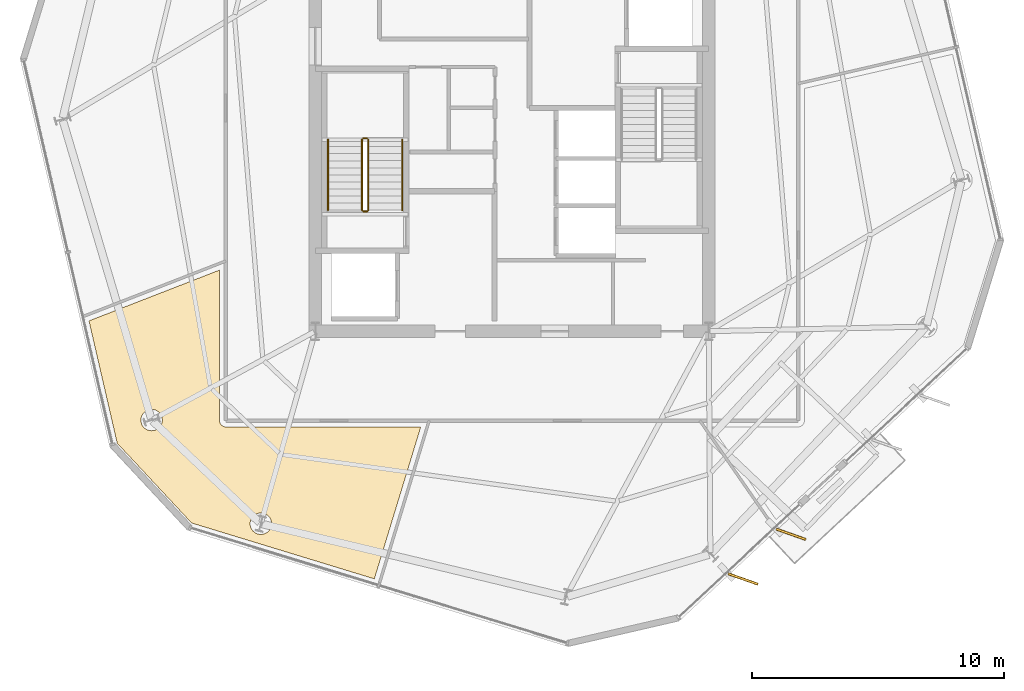
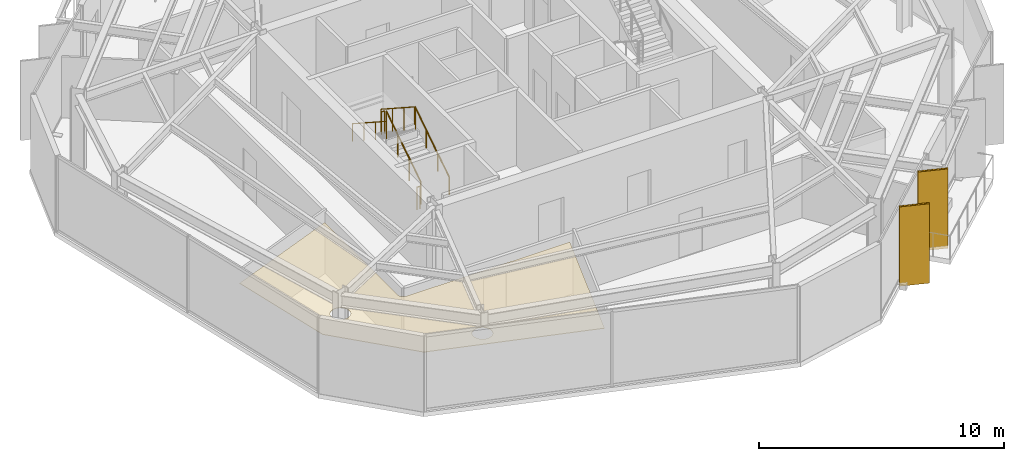
# One storey, part 9 of 11: 6 railings, 3 coverings, 2 shading devices.
"""IFC4 building model written with IfcOpenShell, lengths in metres."""

import ifcopenshell
import ifcopenshell.guid

model = None  # the IFC model being written
_history = None  # IfcOwnerHistory: only IFC2X3 demands one
_inside = {}  # id of a spatial element -> (the spatial element, [elements in it])
_under = {}  # id of a project, library or spatial element -> (it, [spatial elements below it])
_declared = {}  # id of a project -> (the project, [libraries it declares])
_typed = {}  # id of a type object -> (the type object, [elements of that type])
_made_of = {}  # id of a material, layer set ... -> (it, [elements and type objects made of it])


def new_model(schema):
    """Start an empty IFC model of exactly this schema.

    Asked for "IFC4X3", IfcOpenShell would pick the latest addendum, in which some entities
    have other attributes; the version numbers below select the first issue.
    IFC2X3 requires an IfcOwnerHistory on every rooted entity: one is made here for all.
    """
    global model, _history
    if schema == "IFC4X3":
        model = ifcopenshell.file(schema_version=(4, 3, 0, 0))
    else:
        model = ifcopenshell.file(schema=schema)
    _inside.clear()
    _under.clear()
    _declared.clear()
    _typed.clear()
    _made_of.clear()
    _history = None
    if model.schema == "IFC2X3":
        org = make("IfcOrganization", Name="unknown")
        user = make(
            "IfcPersonAndOrganization",
            ThePerson=make("IfcPerson", FamilyName="unknown"),
            TheOrganization=org,
        )
        app = make(
            "IfcApplication",
            ApplicationDeveloper=org,
            Version="unknown",
            ApplicationFullName="unknown",
            ApplicationIdentifier="unknown",
        )
        _history = make(
            "IfcOwnerHistory",
            OwningUser=user,
            OwningApplication=app,
            ChangeAction="ADDED",
            CreationDate=0,
        )
    return model


def make(cls, **values):
    """One entity of the class cls with the attributes given. An attribute that is None is left unset."""
    return model.create_entity(
        cls, **{name: value for name, value in values.items() if value is not None}
    )


def rooted(cls, **values):
    """An entity with a GlobalId (a new one), such as an element, a storey or a relation."""
    return make(cls, GlobalId=ifcopenshell.guid.new(), OwnerHistory=_history, **values)


def si_unit(unit_type, name, prefix=None):
    """IfcSIUnit, for example si_unit("LENGTHUNIT", "METRE", prefix="MILLI")."""
    return make("IfcSIUnit", UnitType=unit_type, Prefix=prefix, Name=name)


def assignment(units):
    """IfcUnitAssignment: the units of a project."""
    return None if units is None else make("IfcUnitAssignment", Units=units)


def point(xyz):
    """IfcCartesianPoint."""
    return None if xyz is None else make("IfcCartesianPoint", Coordinates=xyz)


def direction(xyz):
    """IfcDirection."""
    return None if xyz is None else make("IfcDirection", DirectionRatios=xyz)


def frame(location, z_axis=None, x_axis=None):
    """IfcAxis2Placement3D, a coordinate frame: its origin and axes. An axis left out is left unset."""
    return make(
        "IfcAxis2Placement3D",
        Location=point(location),
        Axis=direction(z_axis),
        RefDirection=direction(x_axis),
    )


def frame_2d(location, x_axis=None):
    """IfcAxis2Placement2D, a coordinate frame in the plane: its origin and x axis."""
    return make(
        "IfcAxis2Placement2D", Location=point(location), RefDirection=direction(x_axis)
    )


def origin():
    """The frame at (0, 0, 0) with its axes left unset."""
    return frame((0.0, 0.0, 0.0))


def origin_2d():
    """The frame at (0, 0) in the plane with its x axis left unset."""
    return frame_2d((0.0, 0.0))


def place(relative_to, where):
    """IfcLocalPlacement: puts the frame where relative to a parent placement (None: the world)."""
    return make(
        "IfcLocalPlacement", PlacementRelTo=relative_to, RelativePlacement=where
    )


def context(
    kind, dimensions, precision=None, world=None, true_north=None, identifier=None
):
    """IfcGeometricRepresentationContext, for example the 3D "Model" context."""
    return make(
        "IfcGeometricRepresentationContext",
        ContextIdentifier=identifier,
        ContextType=kind,
        CoordinateSpaceDimension=dimensions,
        Precision=precision,
        WorldCoordinateSystem=world,
        TrueNorth=true_north,
    )


def subcontext(parent, identifier, kind, view, scale=None):
    """IfcGeometricRepresentationSubContext, for example "Body" below "Model"."""
    return make(
        "IfcGeometricRepresentationSubContext",
        ContextIdentifier=identifier,
        ContextType=kind,
        ParentContext=parent,
        TargetScale=scale,
        TargetView=view,
    )


def project(units=None, contexts=None):
    """IfcProject with its units and contexts."""
    return rooted(
        "IfcProject",
        Name="project",
        RepresentationContexts=contexts,
        UnitsInContext=assignment(units),
    )


def spatial(cls, under=None, at=None, **own):
    """A site, building, storey or space (cls), placed at a placement, below another one or the project."""
    s = rooted(cls, ObjectPlacement=at, **own)
    if under is not None:
        _under.setdefault(under.id(), (under, []))[1].append(s)
    return s


def polyline(points):
    """IfcPolyline through the points."""
    return make("IfcPolyline", Points=[point(p) for p in points])


def profile(cls, at=None, kind="AREA", **sizes):
    """A parametric profile (cls). Its sizes go by their IFC names, for example OverallWidth=200.0."""
    return make(cls, ProfileType=kind, Position=at, **sizes)


def rectangle(**sizes):
    """IfcRectangleProfileDef."""
    return profile("IfcRectangleProfileDef", **sizes)


def circle(**sizes):
    """IfcCircleProfileDef."""
    return profile("IfcCircleProfileDef", **sizes)


def outline(outer, holes=None, kind="AREA"):
    """IfcArbitraryClosedProfileDef: a profile drawn as a closed curve; with holes, ...WithVoids."""
    if holes is None:
        return make("IfcArbitraryClosedProfileDef", ProfileType=kind, OuterCurve=outer)
    return make(
        "IfcArbitraryProfileDefWithVoids",
        ProfileType=kind,
        OuterCurve=outer,
        InnerCurves=holes,
    )


def extrude(swept, where, along, depth):
    """IfcExtrudedAreaSolid: the profile swept, set in the frame where, extruded along a direction by depth."""
    return make(
        "IfcExtrudedAreaSolid",
        SweptArea=swept,
        Position=where,
        ExtrudedDirection=direction(along),
        Depth=depth,
    )


def shape(context_of_items, identifier, shape_type, items):
    """IfcShapeRepresentation: the items that make up one representation, for example the "Body"."""
    return make(
        "IfcShapeRepresentation",
        ContextOfItems=context_of_items,
        RepresentationIdentifier=identifier,
        RepresentationType=shape_type,
        Items=items,
    )


def material(Name=None, Category=None):
    """IfcMaterial."""
    return make("IfcMaterial", Name=Name, Category=Category)


def layer(
    of_material, thickness, ventilated=None, Name=None, Category=None, Priority=None
):
    """IfcMaterialLayer: one layer of a wall or slab, of a material (None: an air gap)."""
    return make(
        "IfcMaterialLayer",
        Material=of_material,
        LayerThickness=thickness,
        IsVentilated=ventilated,
        Name=Name,
        Category=Category,
        Priority=Priority,
    )


def layer_set(layers, Name=None):
    """IfcMaterialLayerSet."""
    return make("IfcMaterialLayerSet", MaterialLayers=layers, LayerSetName=Name)


def made_of(thing, what):
    """Note that an element or type object is made of a material, layer set ...; save() writes the relation."""
    if what is not None:
        _made_of.setdefault(what.id(), (what, []))[1].append(thing)
    return thing


def type_object(cls, material=None, **own):
    """A type object (cls), such as IfcWallType, which elements share."""
    return made_of(rooted(cls, **own), material)


def element(
    cls,
    number,
    at=None,
    inside=None,
    cuts=None,
    type_object=None,
    material=None,
    context=None,
    identifier="Body",
    shape_type=None,
    held_by="IfcProductDefinitionShape",
    body=None,
    shapes=None,
    **own,
):
    """One element of the class cls, such as IfcWall. Its Tag is "e" and its number.

    at: its placement. inside: the storey or other place that contains it. cuts: it is an
    opening in that element (IfcRelVoidsElement). A single representation is given by context,
    identifier, shape_type and body (its items); several are given by shapes. held_by: the class
    of the entity that holds the representations. save() writes the other relations.
    """
    e = rooted(cls, Tag="e%d" % number, ObjectPlacement=at, **own)
    if body is not None:
        shapes = [shape(context, identifier, shape_type, body)]
    if shapes is not None:
        e.Representation = make(held_by, Representations=shapes)
    if inside is not None:
        _inside.setdefault(inside.id(), (inside, []))[1].append(e)
    if cuts is not None:
        rooted(
            "IfcRelVoidsElement", RelatingBuildingElement=cuts, RelatedOpeningElement=e
        )
    if type_object is not None:
        _typed.setdefault(type_object.id(), (type_object, []))[1].append(e)
    return made_of(e, material)


def aggregate(whole, parts):
    """IfcRelAggregates: a whole, such as a stair, and the parts it consists of."""
    return rooted("IfcRelAggregates", RelatingObject=whole, RelatedObjects=parts)


def save(model, path):
    """Write the relations noted so far, then the file.

    IfcRelAggregates (storeys below a building ...), IfcRelContainedInSpatialStructure (elements
    in a storey), IfcRelDefinesByType, IfcRelAssociatesMaterial and IfcRelDeclares: one each for
    every whole, place, type object, material and project.
    """
    for whole, parts in _under.values():
        aggregate(whole, parts)
    for where, things in _inside.values():
        rooted(
            "IfcRelContainedInSpatialStructure",
            RelatedElements=things,
            RelatingStructure=where,
        )
    for kind, things in _typed.values():
        rooted("IfcRelDefinesByType", RelatedObjects=things, RelatingType=kind)
    for what, things in _made_of.values():
        rooted("IfcRelAssociatesMaterial", RelatedObjects=things, RelatingMaterial=what)
    for by, libraries in _declared.values():
        rooted("IfcRelDeclares", RelatingContext=by, RelatedDefinitions=libraries)
    model.write(path)


model = new_model("IFC4")

# Units and contexts
model_context = context("Model", 3, precision=1e-05, world=origin(), true_north=direction((0.0, 1.0)))
body_context = subcontext(model_context, "Body", "Model", "MODEL_VIEW")
ifc_project = project(units=[si_unit("LENGTHUNIT", "METRE"), si_unit("AREAUNIT", "SQUARE_METRE"), si_unit("VOLUMEUNIT", "CUBIC_METRE"), si_unit("PLANEANGLEUNIT", "RADIAN"), si_unit("MASSUNIT", "GRAM", prefix="KILO")], contexts=[model_context])

# Site, building, storey
site_placement = place(None, origin())
site = spatial("IfcSite", under=ifc_project, at=site_placement, CompositionType="ELEMENT")
building_placement = place(site_placement, origin())
building = spatial("IfcBuilding", under=site, at=building_placement, Name="Kranzbogen Civic Tower", CompositionType="ELEMENT")
storey_placement = place(building_placement, frame((0.0, 0.0, 196.800048828125)))
storey = spatial("IfcBuildingStorey", under=building, at=storey_placement, Name="L47", CompositionType="ELEMENT", Elevation=196.800048828125)

# Coverings
ifc_material_1 = material(Name="Pale Anodised Aluminium", Category="aluminium")
ifc_layer_1 = layer(ifc_material_1, 0.02490234375, Name="Pale Anodised Aluminium")
ifc_layer_set_1 = layer_set([ifc_layer_1], Name="Pale Anodised Aluminium")
covering_type_1 = type_object("IfcCoveringType", Name="Anodised Aluminium Vertical Fin Cladding 25 mm", PredefinedType="CLADDING", material=ifc_layer_set_1)
for number, where, z_axis, x_axis, name in (
    (1, (34.1650390625, 7.971923828125, -0.14013671875), (0.0, 0.0, 1.0), (0.943315378056, -0.33189772148, 0.0), "L47 vertical fin pale-metal cladding F5-1"),
    (2, (36.06689453125, 9.7451171875, -0.14013671875), (0.0, 0.0, 1.0), (0.943315378056, -0.33189772148, 0.0), "L47 vertical fin pale-metal cladding F5-2"),
):
    element("IfcCovering", number, at=place(storey_placement, frame(where, z_axis=z_axis, x_axis=x_axis)), inside=storey, type_object=covering_type_1, Name=name, PredefinedType="CLADDING", context=body_context, shape_type="SweptSolid", body=[
        extrude(rectangle(XDim=1.25, YDim=0.10009765625, at=origin_2d()), origin(), (0.0, 0.0, 1.0), 3.9599609375),
    ])

# Shading devices
ifc_material_2 = material(Name="Anodised Bronze Aluminium", Category="aluminium")
shading_device_type = type_object("IfcShadingDeviceType", Name="Anodised Bronze Vertical Facade Fin 1250x80", PredefinedType="USERDEFINED", material=ifc_material_2)
for number, where, z_axis, x_axis, name in (
    (3, (34.1650390625, 7.971923828125, -0.14013671875), (0.0, 0.0, 1.0), (0.943315378056, -0.33189772148, 0.0), "L47 vertical exterior shading fin F5-1"),
    (4, (36.06689453125, 9.7451171875, -0.14013671875), (0.0, 0.0, 1.0), (0.943315378056, -0.33189772148, 0.0), "L47 vertical exterior shading fin F5-2"),
):
    element("IfcShadingDevice", number, at=place(storey_placement, frame(where, z_axis=z_axis, x_axis=x_axis)), inside=storey, type_object=shading_device_type, Name=name, ObjectType="FIN", PredefinedType="USERDEFINED", context=body_context, shape_type="SweptSolid", body=[
        extrude(rectangle(XDim=1.25, YDim=0.080078125, at=origin_2d()), origin(), (0.0, 0.0, 1.0), 3.9599609375),
    ])

# Railings
ifc_material_3 = material(Name="Steel S355", Category="steel")
railing_type_1 = type_object("IfcRailingType", Name="Internal Stair and Void Steel Guardrail 1150", PredefinedType="GUARDRAIL", material=ifc_material_3)
railing_1_placement = place(storey_placement, frame((19.300048828125, 22.60009765625, 0.181884765625)))
element("IfcRailing", 5, at=railing_1_placement, inside=storey, type_object=railing_type_1, Name="L47 ST-T1 stair guard 1", PredefinedType="GUARDRAIL", context=body_context, shape_type="SweptSolid", body=[
    extrude(circle(Radius=0.02392578125, at=origin_2d()), frame((0.0, 0.0, 1.1259765625), z_axis=(0.0, 0.83868413941, 0.544618136222), x_axis=(-1.0, 0.0, 0.0)), (0.0, 0.0, 1.0), 3.33837890625),
    extrude(circle(Radius=0.02099609375, at=origin_2d()), origin(), (0.0, 0.0, 1.0), 1.101806640625),
    extrude(circle(Radius=0.02099609375, at=origin_2d()), frame((0.0, 0.933349609375, 0.60595703125)), (0.0, 0.0, 1.0), 1.101806640625),
    extrude(circle(Radius=0.02099609375, at=origin_2d()), frame((0.0, 1.866455078125, 1.212158203125)), (0.0, 0.0, 1.0), 1.101806640625),
    extrude(circle(Radius=0.02099609375, at=origin_2d()), frame((0.0, 2.7998046875, 1.818115234375)), (0.0, 0.0, 1.0), 1.101806640625),
])
railing_2_placement = place(storey_placement, frame((19.25, 25.449951171875, 2.0)))
element("IfcRailing", 6, at=railing_2_placement, inside=storey, type_object=railing_type_1, Name="L47 ST-T1 stair guard 2", PredefinedType="GUARDRAIL", context=body_context, shape_type="SweptSolid", body=[
    extrude(circle(Radius=0.02392578125, at=origin_2d()), frame((0.0, 0.0, 1.1259765625), z_axis=(-1.0, 0.0, 0.0), x_axis=(0.0, -1.0, 0.0)), (0.0, 0.0, 1.0), 0.14990234375),
    extrude(circle(Radius=0.02099609375, at=origin_2d()), origin(), (0.0, 0.0, 1.0), 1.101806640625),
    extrude(circle(Radius=0.02099609375, at=origin_2d()), frame((-0.14990234375, 0.0, 0.0)), (0.0, 0.0, 1.0), 1.101806640625),
])
railing_3_placement = place(storey_placement, frame((19.050048828125, 25.39990234375, 2.181884765625)))
element("IfcRailing", 7, at=railing_3_placement, inside=storey, type_object=railing_type_1, Name="L47 ST-T1 stair guard 3", PredefinedType="GUARDRAIL", context=body_context, shape_type="SweptSolid", body=[
    extrude(circle(Radius=0.02392578125, at=origin_2d()), frame((0.0, 0.0, 1.1259765625), z_axis=(0.0, -0.83868413941, 0.544618136222), x_axis=(1.0, 0.0, 0.0)), (0.0, 0.0, 1.0), 3.33837890625),
    extrude(circle(Radius=0.02099609375, at=origin_2d()), origin(), (0.0, 0.0, 1.0), 1.101806640625),
    extrude(circle(Radius=0.02099609375, at=origin_2d()), frame((0.0, -0.933349609375, 0.60595703125)), (0.0, 0.0, 1.0), 1.101806640625),
    extrude(circle(Radius=0.02099609375, at=origin_2d()), frame((0.0, -1.866455078125, 1.212158203125)), (0.0, 0.0, 1.0), 1.101806640625),
    extrude(circle(Radius=0.02099609375, at=origin_2d()), frame((0.0, -2.7998046875, 1.818115234375)), (0.0, 0.0, 1.0), 1.101806640625),
])
railing_4_placement = place(storey_placement, frame((19.25, 22.550048828125, 0.0)))
element("IfcRailing", 8, at=railing_4_placement, inside=storey, type_object=railing_type_1, Name="L47 ST-T1 stair guard 4", PredefinedType="GUARDRAIL", context=body_context, shape_type="SweptSolid", body=[
    extrude(circle(Radius=0.02392578125, at=origin_2d()), frame((0.0, 0.0, 1.1259765625), z_axis=(-1.0, 0.0, 0.0), x_axis=(0.0, -1.0, 0.0)), (0.0, 0.0, 1.0), 0.14990234375),
    extrude(circle(Radius=0.02099609375, at=origin_2d()), origin(), (0.0, 0.0, 1.0), 1.101806640625),
    extrude(circle(Radius=0.02099609375, at=origin_2d()), frame((-0.14990234375, 0.0, 0.0)), (0.0, 0.0, 1.0), 1.101806640625),
])

# Covering
ifc_material_4 = material(Name="Perforated Acoustic Gypsum Ceiling")
ifc_layer_2 = layer(ifc_material_4, 0.02490234375, Name="Perforated Acoustic Gypsum Ceiling")
ifc_layer_set_2 = layer_set([ifc_layer_2], Name="Perforated Acoustic Gypsum Ceiling")
covering_type_2 = type_object("IfcCoveringType", Name="Perforated Acoustic Mineral Ceiling Tile 25 mm", PredefinedType="CEILING", material=ifc_layer_set_2)
covering_placement = place(storey_placement, frame((0.0, 0.0, 2.75)))
element("IfcCovering", 9, at=covering_placement, inside=storey, type_object=covering_type_2, Name="L47 Urban Design Workshop acoustic ceiling", PredefinedType="CEILING", context=body_context, shape_type="SweptSolid", body=[
    extrude(outline(polyline([(9.343017578125, 13.35693359375), (8.222900390625, 18.2099609375), (13.405029296875, 20.22607421875), (13.405029296875, 14.25), (13.405029296875, 14.240966796875), (13.406005859375, 14.235107421875), (13.406982421875, 14.217041015625), (13.407958984375, 14.2109375), (13.412109375, 14.194091796875), (13.4130859375, 14.18701171875), (13.41796875, 14.169921875), (13.419921875, 14.1640625), (13.427001953125, 14.14794921875), (13.429931640625, 14.14208984375), (13.43798828125, 14.126953125), (13.44189453125, 14.12109375), (13.450927734375, 14.10693359375), (13.455078125, 14.10205078125), (13.466064453125, 14.087890625), (13.470947265625, 14.0830078125), (13.48291015625, 14.071044921875), (13.488037109375, 14.06591796875), (13.501953125, 14.054931640625), (13.507080078125, 14.051025390625), (13.52099609375, 14.0419921875), (13.527099609375, 14.0380859375), (13.5419921875, 14.030029296875), (13.548095703125, 14.027099609375), (13.56396484375, 14.02001953125), (13.570068359375, 14.01806640625), (13.5869140625, 14.012939453125), (13.593994140625, 14.011962890625), (13.611083984375, 14.008056640625), (13.616943359375, 14.007080078125), (13.635009765625, 14.006103515625), (13.64111328125, 14.0048828125), (13.64990234375, 14.0048828125), (21.382080078125, 14.0048828125), (19.5400390625, 7.97802734375), (12.29296875, 10.193115234375), (9.343017578125, 13.35693359375)]), holes=[polyline([(15.431884765625, 10.001953125), (15.4140625, 9.964111328125), (15.39306640625, 9.928955078125), (15.367919921875, 9.89501953125), (15.340087890625, 9.864013671875), (15.30908203125, 9.8359375), (15.27490234375, 9.81103515625), (15.239990234375, 9.7900390625), (15.201904296875, 9.77197265625), (15.1630859375, 9.758056640625), (15.1220703125, 9.748046875), (15.0810546875, 9.741943359375), (15.0390625, 9.739990234375), (14.9970703125, 9.741943359375), (14.9560546875, 9.748046875), (14.9150390625, 9.758056640625), (14.8759765625, 9.77197265625), (14.837890625, 9.7900390625), (14.802978515625, 9.81103515625), (14.76904296875, 9.8359375), (14.738037109375, 9.864013671875), (14.7099609375, 9.89501953125), (14.68505859375, 9.928955078125), (14.6640625, 9.964111328125), (14.64599609375, 10.001953125), (14.632080078125, 10.041015625), (14.6220703125, 10.08203125), (14.615966796875, 10.123046875), (14.614013671875, 10.1650390625), (14.615966796875, 10.20703125), (14.6220703125, 10.248046875), (14.632080078125, 10.2890625), (14.64599609375, 10.327880859375), (14.6640625, 10.365966796875), (14.68505859375, 10.40087890625), (14.7099609375, 10.43505859375), (14.738037109375, 10.466064453125), (14.76904296875, 10.493896484375), (14.802978515625, 10.51904296875), (14.837890625, 10.5400390625), (14.8759765625, 10.55810546875), (14.9150390625, 10.572021484375), (14.9560546875, 10.58203125), (14.9970703125, 10.587890625), (15.0390625, 10.590087890625), (15.0810546875, 10.587890625), (15.1220703125, 10.58203125), (15.1630859375, 10.572021484375), (15.201904296875, 10.55810546875), (15.239990234375, 10.5400390625), (15.27490234375, 10.51904296875), (15.30908203125, 10.493896484375), (15.340087890625, 10.466064453125), (15.367919921875, 10.43505859375), (15.39306640625, 10.40087890625), (15.4140625, 10.365966796875), (15.431884765625, 10.327880859375), (15.446044921875, 10.2890625), (15.4560546875, 10.248046875), (15.4619140625, 10.20703125), (15.464111328125, 10.1650390625), (15.4619140625, 10.123046875), (15.4560546875, 10.08203125), (15.446044921875, 10.041015625), (15.431884765625, 10.001953125)]), polyline([(11.10009765625, 14.113037109375), (11.08203125, 14.074951171875), (11.06103515625, 14.0400390625), (11.035888671875, 14.006103515625), (11.008056640625, 13.97509765625), (10.97705078125, 13.947021484375), (10.943115234375, 13.922119140625), (10.907958984375, 13.90087890625), (10.8701171875, 13.883056640625), (10.8310546875, 13.868896484375), (10.7900390625, 13.85888671875), (10.7490234375, 13.85302734375), (10.70703125, 13.85107421875), (10.6650390625, 13.85302734375), (10.6240234375, 13.85888671875), (10.5830078125, 13.868896484375), (10.5439453125, 13.883056640625), (10.506103515625, 13.90087890625), (10.470947265625, 13.922119140625), (10.43701171875, 13.947021484375), (10.406005859375, 13.97509765625), (10.3779296875, 14.006103515625), (10.35302734375, 14.0400390625), (10.33203125, 14.074951171875), (10.31396484375, 14.113037109375), (10.300048828125, 14.152099609375), (10.2900390625, 14.193115234375), (10.283935546875, 14.23388671875), (10.281982421875, 14.27587890625), (10.283935546875, 14.318115234375), (10.2900390625, 14.35888671875), (10.300048828125, 14.39990234375), (10.31396484375, 14.43896484375), (10.33203125, 14.47705078125), (10.35302734375, 14.511962890625), (10.3779296875, 14.5458984375), (10.406005859375, 14.576904296875), (10.43701171875, 14.60498046875), (10.470947265625, 14.6298828125), (10.506103515625, 14.65087890625), (10.5439453125, 14.6689453125), (10.5830078125, 14.68310546875), (10.6240234375, 14.693115234375), (10.6650390625, 14.698974609375), (10.70703125, 14.700927734375), (10.7490234375, 14.698974609375), (10.7900390625, 14.693115234375), (10.8310546875, 14.68310546875), (10.8701171875, 14.6689453125), (10.907958984375, 14.65087890625), (10.943115234375, 14.6298828125), (10.97705078125, 14.60498046875), (11.008056640625, 14.576904296875), (11.035888671875, 14.5458984375), (11.06103515625, 14.511962890625), (11.08203125, 14.47705078125), (11.10009765625, 14.43896484375), (11.114013671875, 14.39990234375), (11.1240234375, 14.35888671875), (11.1298828125, 14.318115234375), (11.132080078125, 14.27587890625), (11.1298828125, 14.23388671875), (11.1240234375, 14.193115234375), (11.114013671875, 14.152099609375), (11.10009765625, 14.113037109375)])]), origin(), (0.0, 0.0, 1.0), 0.02490234375),
])

# Railings
railing_type_2 = type_object("IfcRailingType", Name="Tubular Stainless Stair Wall Handrail 900", PredefinedType="HANDRAIL", material=ifc_material_1)
railing_5_placement = place(storey_placement, frame((20.64990234375, 22.60009765625, 0.181884765625)))
element("IfcRailing", 10, at=railing_5_placement, inside=storey, type_object=railing_type_2, Name="L47 ST-T1 stair handrail 1", PredefinedType="HANDRAIL", context=body_context, shape_type="SweptSolid", body=[
    extrude(circle(Radius=0.02392578125, at=origin_2d()), frame((0.0, 0.0, 0.8759765625), z_axis=(0.0, 0.83868413941, 0.544618136222), x_axis=(-1.0, 0.0, 0.0)), (0.0, 0.0, 1.0), 3.33837890625),
    extrude(circle(Radius=0.02099609375, at=origin_2d()), origin(), (0.0, 0.0, 1.0), 0.851806640625),
    extrude(circle(Radius=0.02099609375, at=origin_2d()), frame((0.0, 0.933349609375, 0.60595703125)), (0.0, 0.0, 1.0), 0.851806640625),
    extrude(circle(Radius=0.02099609375, at=origin_2d()), frame((0.0, 1.866455078125, 1.212158203125)), (0.0, 0.0, 1.0), 0.851806640625),
    extrude(circle(Radius=0.02099609375, at=origin_2d()), frame((0.0, 2.7998046875, 1.818115234375)), (0.0, 0.0, 1.0), 0.851806640625),
])
railing_6_placement = place(storey_placement, frame((17.699951171875, 25.39990234375, 2.181884765625)))
element("IfcRailing", 11, at=railing_6_placement, inside=storey, type_object=railing_type_2, Name="L47 ST-T1 stair handrail 2", PredefinedType="HANDRAIL", context=body_context, shape_type="SweptSolid", body=[
    extrude(circle(Radius=0.02392578125, at=origin_2d()), frame((0.0, 0.0, 0.8759765625), z_axis=(0.0, -0.83868413941, 0.544618136222), x_axis=(1.0, 0.0, 0.0)), (0.0, 0.0, 1.0), 3.33837890625),
    extrude(circle(Radius=0.02099609375, at=origin_2d()), origin(), (0.0, 0.0, 1.0), 0.851806640625),
    extrude(circle(Radius=0.02099609375, at=origin_2d()), frame((0.0, -0.933349609375, 0.60595703125)), (0.0, 0.0, 1.0), 0.851806640625),
    extrude(circle(Radius=0.02099609375, at=origin_2d()), frame((0.0, -1.866455078125, 1.212158203125)), (0.0, 0.0, 1.0), 0.851806640625),
    extrude(circle(Radius=0.02099609375, at=origin_2d()), frame((0.0, -2.7998046875, 1.818115234375)), (0.0, 0.0, 1.0), 0.851806640625),
])

save(model, "model.ifc")
